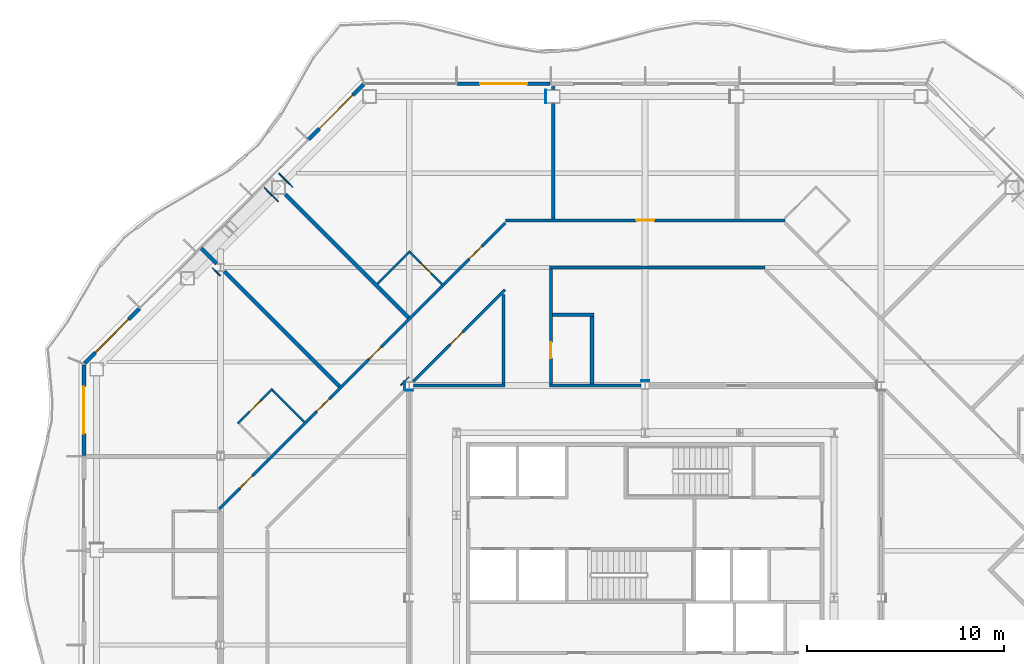
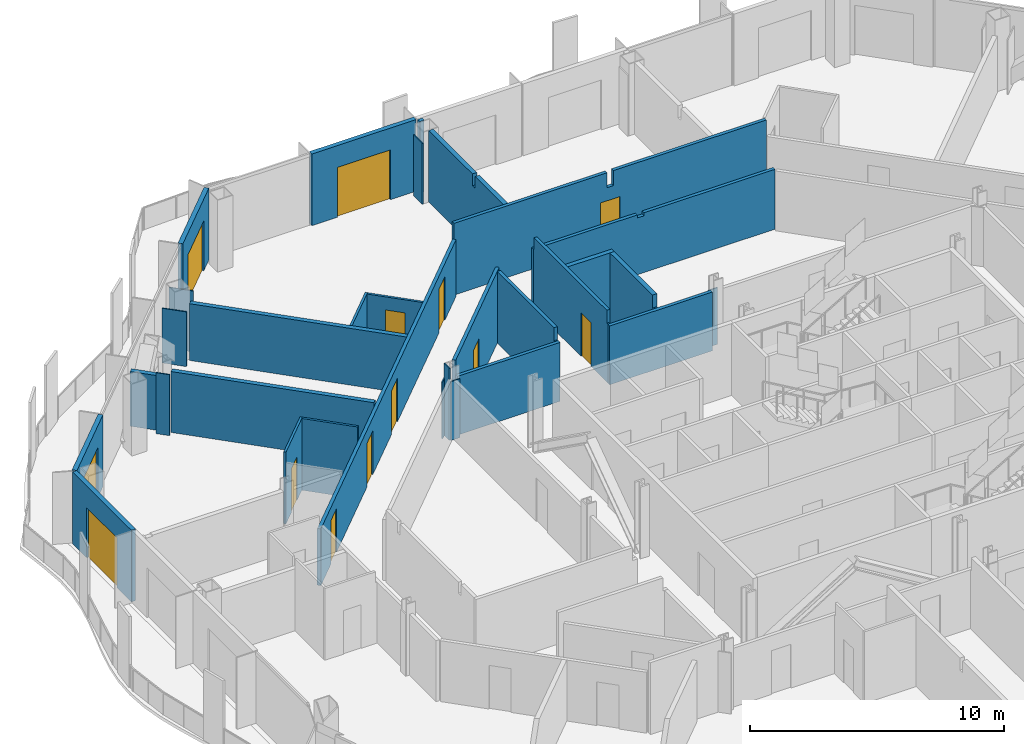
# One storey, part 12 of 21: 31 walls, 13 doors, 13 openings.
"""IFC4 building model written with IfcOpenShell, lengths in metres."""

from ifc_helpers import new_model, si_unit, direction, frame, frame_2d, origin, place, context, subcontext, project, spatial, polyline, rectangle, outline, extrude, material, layer, layer_set, type_object, element, fill, save


model = new_model("IFC4")

# Units and contexts
model_context = context("Model", 3, precision=1e-05, world=origin(), true_north=direction((0.0, 1.0)))
body_context = subcontext(model_context, "Body", "Model", "MODEL_VIEW")
ifc_project = project(units=[si_unit("LENGTHUNIT", "METRE"), si_unit("AREAUNIT", "SQUARE_METRE"), si_unit("VOLUMEUNIT", "CUBIC_METRE"), si_unit("PLANEANGLEUNIT", "RADIAN"), si_unit("MASSUNIT", "GRAM", prefix="KILO")], contexts=[model_context])

# Site, building, storey
site_placement = place(None, origin())
site = spatial("IfcSite", under=ifc_project, at=site_placement, CompositionType="ELEMENT")
building_placement = place(site_placement, origin())
building = spatial("IfcBuilding", under=site, at=building_placement, Name="Cairn Pilgrim Tower", CompositionType="ELEMENT")
storey_placement = place(building_placement, frame((0.0, 0.0, 132.60009765625)))
storey = spatial("IfcBuildingStorey", under=building, at=storey_placement, Name="L32", CompositionType="ELEMENT", Elevation=132.60009765625)

# Wall, opening, door
ifc_material_1 = material(Name="Bronze anodised aluminium insulated sandwich panel with mineral wool fill", Category="aluminium")
ifc_layer_1 = layer(ifc_material_1, 0.199951171875)
ifc_layer_set_1 = layer_set([ifc_layer_1], Name="BRONZE INFILL FRAME WALL 200")
wall_type_1 = type_object("IfcWallType", Name="BRONZE INFILL FRAME WALL 200", PredefinedType="NOTDEFINED", material=ifc_layer_set_1)
wall_1_placement = place(storey_placement, frame((2.3701171875, 28.550048828125, 0.0), z_axis=(0.0, 0.0, 1.0), x_axis=(-1.0, 0.0, 0.0)))
wall_1 = element("IfcWall", 1, at=wall_1_placement, inside=storey, type_object=wall_type_1, Name="Bronze infill frame wall IW-N5", PredefinedType="NOTDEFINED", context=body_context, shape_type="SweptSolid", body=[
    extrude(rectangle(XDim=4.740234375, YDim=0.199951171875, at=frame_2d((2.3701171875, 0.0))), origin(), (0.0, 0.0, 1.0), 3.449951171875),
])
opening_1_placement = place(wall_1_placement, frame((1.169677734375, 0.0, 0.0)))
opening_1 = element("IfcOpeningElement", 2, at=opening_1_placement, cuts=wall_1, Name="Opening 3210B", PredefinedType="OPENING", context=body_context, shape_type="SweptSolid", body=[
    extrude(rectangle(XDim=2.39990234375, YDim=2.39990234375, at=frame_2d((1.199951171875, 1.199951171875))), frame((0.0, 0.10986328125, 0.0), z_axis=(0.0, -1.0, 0.0), x_axis=(1.0, 0.0, 0.0)), (0.0, 0.0, 1.0), 0.219970703125),
])
ifc_material_2 = material(Name="Bronze anodised aluminium frame with tinted low-E glass", Category="aluminium")
door_type_1 = type_object("IfcDoorType", Name="BALCONY SLIDING DOOR 2400x2400", OperationType="DOUBLE_DOOR_SLIDING", PredefinedType="DOOR", material=ifc_material_2)
door_1_placement = place(opening_1_placement, origin())
door_1 = element("IfcDoor", 3, at=door_1_placement, inside=storey, type_object=door_type_1, Name="Balcony sliding door 3210B", OperationType="SINGLE_SWING_LEFT", OverallHeight=2.39990234375, OverallWidth=2.39990234375, PredefinedType="DOOR", context=body_context, shape_type="SweptSolid", body=[
    extrude(rectangle(XDim=2.39990234375, YDim=2.39990234375, at=frame_2d((1.199951171875, 1.199951171875))), frame((0.0, 0.02490234375, 0.0), z_axis=(0.0, -1.0, 0.0), x_axis=(1.0, 0.0, 0.0)), (0.0, 0.0, 1.0), 0.050048828125),
])
fill(opening_1, door_1)

wall_2_placement = place(storey_placement, frame((-7.124755859375, 28.521728515625, 0.0), z_axis=(0.0, 0.0, 1.0), x_axis=(-0.707106781187, -0.707106781187, 0.0)))
wall_2 = element("IfcWall", 4, at=wall_2_placement, inside=storey, type_object=wall_type_1, Name="Bronze infill frame wall IW-NW1", PredefinedType="NOTDEFINED", context=body_context, shape_type="SweptSolid", body=[
    extrude(rectangle(XDim=3.961669921875, YDim=0.199951171875, at=frame_2d((1.98095703125, 0.0))), origin(), (0.0, 0.0, 1.0), 3.449951171875),
])
opening_2_placement = place(wall_2_placement, frame((0.775390625, 0.0, 0.0)))
opening_2 = element("IfcOpeningElement", 5, at=opening_2_placement, cuts=wall_2, Name="Opening 3210B2", PredefinedType="OPENING", context=body_context, shape_type="SweptSolid", body=[
    extrude(rectangle(XDim=2.39990234375, YDim=2.39990234375, at=frame_2d((1.199951171875, 1.199951171875))), frame((0.0, 0.10986328125, 0.0), z_axis=(0.0, -1.0, 0.0), x_axis=(1.0, 0.0, 0.0)), (0.0, 0.0, 1.0), 0.219970703125),
])
door_2_placement = place(opening_2_placement, origin())
door_2 = element("IfcDoor", 6, at=door_2_placement, inside=storey, type_object=door_type_1, Name="Balcony sliding door 3210B2", OperationType="SINGLE_SWING_LEFT", OverallHeight=2.39990234375, OverallWidth=2.39990234375, PredefinedType="DOOR", context=body_context, shape_type="SweptSolid", body=[
    extrude(rectangle(XDim=2.39990234375, YDim=2.39990234375, at=frame_2d((1.199951171875, 1.199951171875))), frame((0.0, 0.02490234375, 0.0), z_axis=(0.0, -1.0, 0.0), x_axis=(1.0, 0.0, 0.0)), (0.0, 0.0, 1.0), 0.050048828125),
])
fill(opening_2, door_2)

wall_3_placement = place(storey_placement, frame((-18.5205078125, 17.1259765625, 0.0), z_axis=(0.0, 0.0, 1.0), x_axis=(-0.707106781187, -0.707106781187, 0.0)))
wall_3 = element("IfcWall", 7, at=wall_3_placement, inside=storey, type_object=wall_type_1, Name="Bronze infill frame wall IW-NW5", PredefinedType="NOTDEFINED", context=body_context, shape_type="SweptSolid", body=[
    extrude(rectangle(XDim=3.961669921875, YDim=0.199951171875, at=frame_2d((1.98095703125, 0.0))), origin(), (0.0, 0.0, 1.0), 3.449951171875),
])
opening_3_placement = place(wall_3_placement, frame((0.785888671875, 0.0, 0.0)))
opening_3 = element("IfcOpeningElement", 8, at=opening_3_placement, cuts=wall_3, Name="Opening 3212B2", PredefinedType="OPENING", context=body_context, shape_type="SweptSolid", body=[
    extrude(rectangle(XDim=2.39990234375, YDim=2.39990234375, at=frame_2d((1.199951171875, 1.199951171875))), frame((0.0, 0.10986328125, 0.0), z_axis=(0.0, -1.0, 0.0), x_axis=(1.0, 0.0, 0.0)), (0.0, 0.0, 1.0), 0.219970703125),
])
door_3_placement = place(opening_3_placement, origin())
door_3 = element("IfcDoor", 9, at=door_3_placement, inside=storey, type_object=door_type_1, Name="Balcony sliding door 3212B2", OperationType="SINGLE_SWING_LEFT", OverallHeight=2.39990234375, OverallWidth=2.39990234375, PredefinedType="DOOR", context=body_context, shape_type="SweptSolid", body=[
    extrude(rectangle(XDim=2.39990234375, YDim=2.39990234375, at=frame_2d((1.199951171875, 1.199951171875))), frame((0.0, 0.02490234375, 0.0), z_axis=(0.0, -1.0, 0.0), x_axis=(1.0, 0.0, 0.0)), (0.0, 0.0, 1.0), 0.050048828125),
])
fill(opening_3, door_3)

wall_4_placement = place(storey_placement, frame((-21.35009765625, 14.25634765625, 0.0), z_axis=(0.0, 0.0, 1.0), x_axis=(0.0, -1.0, 0.0)))
wall_4 = element("IfcWall", 10, at=wall_4_placement, inside=storey, type_object=wall_type_1, Name="Bronze infill frame wall IW-W1", PredefinedType="NOTDEFINED", context=body_context, shape_type="SweptSolid", body=[
    extrude(rectangle(XDim=4.62646484375, YDim=0.199951171875, at=frame_2d((2.313232421875, 0.0))), origin(), (0.0, 0.0, 1.0), 3.449951171875),
])
opening_4_placement = place(wall_4_placement, frame((1.1083984375, 0.0, 0.0)))
opening_4 = element("IfcOpeningElement", 11, at=opening_4_placement, cuts=wall_4, Name="Opening 3212B", PredefinedType="OPENING", context=body_context, shape_type="SweptSolid", body=[
    extrude(rectangle(XDim=2.39990234375, YDim=2.39990234375, at=frame_2d((1.199951171875, 1.199951171875))), frame((0.0, 0.10986328125, 0.0), z_axis=(0.0, -1.0, 0.0), x_axis=(1.0, 0.0, 0.0)), (0.0, 0.0, 1.0), 0.219970703125),
])
door_4_placement = place(opening_4_placement, origin())
door_4 = element("IfcDoor", 12, at=door_4_placement, inside=storey, type_object=door_type_1, Name="Balcony sliding door 3212B", OperationType="SINGLE_SWING_LEFT", OverallHeight=2.39990234375, OverallWidth=2.39990234375, PredefinedType="DOOR", context=body_context, shape_type="SweptSolid", body=[
    extrude(rectangle(XDim=2.39990234375, YDim=2.39990234375, at=frame_2d((1.199951171875, 1.199951171875))), frame((0.0, 0.02490234375, 0.0), z_axis=(0.0, -1.0, 0.0), x_axis=(1.0, 0.0, 0.0)), (0.0, 0.0, 1.0), 0.050048828125),
])
fill(opening_4, door_4)

ifc_material_3 = material(Name="Gypsum partition")
ifc_layer_2 = layer(ifc_material_3, 0.10009765625)
ifc_layer_set_2 = layer_set([ifc_layer_2], Name="PARTITION 100 DRYWALL")
wall_type_2 = type_object("IfcWallType", Name="PARTITION 100 DRYWALL", PredefinedType="PARTITIONING", material=ifc_layer_set_2)
wall_5_placement = place(storey_placement, frame((-13.5263671875, 11.26171875, 0.0), z_axis=(0.0, 0.0, 1.0), x_axis=(0.707106781187, 0.707106781187, 0.0)))
wall_5 = element("IfcWall", 13, at=wall_5_placement, inside=storey, type_object=wall_type_2, Name="PARTITION W069", PredefinedType="PARTITIONING", context=body_context, shape_type="SweptSolid", body=[
    extrude(rectangle(XDim=2.499755859375, YDim=0.10009765625, at=frame_2d((1.25, 0.0))), origin(), (0.0, 0.0, 1.0), 3.449951171875),
])
opening_5_placement = place(wall_5_placement, frame((0.849853515625, 0.0, 0.0)))
opening_5 = element("IfcOpeningElement", 14, at=opening_5_placement, cuts=wall_5, Name="Opening 3212A", PredefinedType="OPENING", context=body_context, shape_type="SweptSolid", body=[
    extrude(rectangle(XDim=0.800048828125, YDim=2.10009765625, at=frame_2d((0.39990234375, 1.050048828125))), frame((0.0, 0.06005859375, 0.0), z_axis=(0.0, -1.0, 0.0), x_axis=(1.0, 0.0, 0.0)), (0.0, 0.0, 1.0), 0.1201171875),
])
ifc_material_4 = material(Name="Timber door leaf", Category="wood")
door_type_2 = type_object("IfcDoorType", Name="WC DOOR 800x2100", OperationType="NOTDEFINED", PredefinedType="DOOR", material=ifc_material_4)
door_5_placement = place(opening_5_placement, origin())
door_5 = element("IfcDoor", 15, at=door_5_placement, inside=storey, type_object=door_type_2, Name="DOOR 3212A", OperationType="SINGLE_SWING_RIGHT", OverallHeight=2.10009765625, OverallWidth=0.800048828125, PredefinedType="DOOR", context=body_context, shape_type="SweptSolid", body=[
    extrude(rectangle(XDim=0.800048828125, YDim=2.10009765625, at=frame_2d((0.39990234375, 1.050048828125))), frame((0.0, 0.02490234375, 0.0), z_axis=(0.0, -1.0, 0.0), x_axis=(1.0, 0.0, 0.0)), (0.0, 0.0, 1.0), 0.050048828125),
])
fill(opening_5, door_5)

# Walls
wall_6_placement = place(storey_placement, frame((-10.14990234375, 11.35009765625, 0.0), z_axis=(0.0, 0.0, 1.0), x_axis=(-0.707160441348, 0.707053116953, 0.0)))
element("IfcWall", 16, at=wall_6_placement, inside=storey, type_object=wall_type_2, Name="PARTITION W070", PredefinedType="PARTITIONING", context=body_context, shape_type="SweptSolid", body=[
    extrude(rectangle(XDim=2.27490234375, YDim=0.10009765625, at=frame_2d((1.137451171875, 0.0))), origin(), (0.0, 0.0, 1.0), 3.449951171875),
])
wall_7_placement = place(storey_placement, frame((-6.411376953125, 18.376708984375, 0.0), z_axis=(0.0, 0.0, 1.0), x_axis=(0.707106781187, 0.707106781187, 0.0)))
element("IfcWall", 17, at=wall_7_placement, inside=storey, type_object=wall_type_2, Name="PARTITION W085", PredefinedType="PARTITIONING", context=body_context, shape_type="SweptSolid", body=[
    extrude(rectangle(XDim=2.349853515625, YDim=0.10009765625, at=frame_2d((1.1748046875, 0.0))), origin(), (0.0, 0.0, 1.0), 2.72998046875),
])

# Wall, opening, door
wall_8_placement = place(storey_placement, frame((-3.14111328125, 18.35888671875, 0.0), z_axis=(0.0, 0.0, 1.0), x_axis=(-0.707053116953, 0.707160441348, 0.0)))
wall_8 = element("IfcWall", 18, at=wall_8_placement, inside=storey, type_object=wall_type_2, Name="PARTITION W086", PredefinedType="PARTITIONING", context=body_context, shape_type="SweptSolid", body=[
    extrude(rectangle(XDim=2.27490234375, YDim=0.10009765625, at=frame_2d((1.137451171875, 0.0))), origin(), (0.0, 0.0, 1.0), 2.72998046875),
])
opening_6_placement = place(wall_8_placement, frame((0.72509765625, 0.0, 0.0)))
opening_6 = element("IfcOpeningElement", 19, at=opening_6_placement, cuts=wall_8, Name="Opening 3210A", PredefinedType="OPENING", context=body_context, shape_type="SweptSolid", body=[
    extrude(rectangle(XDim=0.800048828125, YDim=2.10009765625, at=frame_2d((0.39990234375, 1.050048828125))), frame((0.0, 0.06005859375, 0.0), z_axis=(0.0, -1.0, 0.0), x_axis=(1.0, 0.0, 0.0)), (0.0, 0.0, 1.0), 0.1201171875),
])
door_6_placement = place(opening_6_placement, frame((0.800048828125, 0.0, 0.0), z_axis=(0.0, 0.0, 1.0), x_axis=(-1.0, 0.0, 0.0)))
door_6 = element("IfcDoor", 20, at=door_6_placement, inside=storey, type_object=door_type_2, Name="DOOR 3210A", OperationType="SINGLE_SWING_RIGHT", OverallHeight=2.10009765625, OverallWidth=0.800048828125, PredefinedType="DOOR", context=body_context, shape_type="SweptSolid", body=[
    extrude(rectangle(XDim=0.800048828125, YDim=2.10009765625, at=frame_2d((0.39990234375, 1.050048828125))), frame((0.0, 0.02490234375, 0.0), z_axis=(0.0, -1.0, 0.0), x_axis=(1.0, 0.0, 0.0)), (0.0, 0.0, 1.0), 0.050048828125),
])
fill(opening_6, door_6)

# Wall, openings, doors
ifc_layer_3 = layer(ifc_material_3, 0.14990234375)
ifc_layer_set_3 = layer_set([ifc_layer_3], Name="PARTITION 150 DRYWALL EI 60")
wall_type_3 = type_object("IfcWallType", Name="PARTITION 150 DRYWALL EI 60", PredefinedType="PARTITIONING", material=ifc_layer_set_3)
wall_9_placement = place(storey_placement, frame((-14.47509765625, 6.9189453125, 0.0), z_axis=(0.0, 0.0, 1.0), x_axis=(0.707106781187, 0.707106781187, 0.0)))
wall_9 = element("IfcWall", 21, at=wall_9_placement, inside=storey, type_object=wall_type_3, Name="PARTITION W061", PredefinedType="PARTITIONING", context=body_context, shape_type="SweptSolid", body=[
    extrude(rectangle(XDim=20.5810546875, YDim=0.14990234375, at=frame_2d((10.29052734375, 0.0))), origin(), (0.0, 0.0, 1.0), 2.72998046875),
])
opening_7_placement = place(wall_9_placement, frame((17.982666015625, 0.0, 0.0)))
opening_7 = element("IfcOpeningElement", 22, at=opening_7_placement, cuts=wall_9, Name="Opening 3210", PredefinedType="OPENING", context=body_context, shape_type="SweptSolid", body=[
    extrude(rectangle(XDim=0.89990234375, YDim=2.10009765625, at=frame_2d((0.449951171875, 1.050048828125))), frame((0.0, 0.0849609375, 0.0), z_axis=(0.0, -1.0, 0.0), x_axis=(1.0, 0.0, 0.0)), (0.0, 0.0, 1.0), 0.169921875),
])
opening_8_placement = place(wall_9_placement, frame((10.77001953125, 0.0, 0.0)))
opening_8 = element("IfcOpeningElement", 23, at=opening_8_placement, cuts=wall_9, Name="Opening 3211", PredefinedType="OPENING", context=body_context, shape_type="SweptSolid", body=[
    extrude(rectangle(XDim=0.89990234375, YDim=2.10009765625, at=frame_2d((0.449951171875, 1.050048828125))), frame((0.0, 0.0849609375, 0.0), z_axis=(0.0, -1.0, 0.0), x_axis=(1.0, 0.0, 0.0)), (0.0, 0.0, 1.0), 0.169921875),
])
opening_9_placement = place(wall_9_placement, frame((7.014404296875, 0.0, 0.0)))
opening_9 = element("IfcOpeningElement", 24, at=opening_9_placement, cuts=wall_9, Name="Opening 3212", PredefinedType="OPENING", context=body_context, shape_type="SweptSolid", body=[
    extrude(rectangle(XDim=0.89990234375, YDim=2.10009765625, at=frame_2d((0.449951171875, 1.050048828125))), frame((0.0, 0.0849609375, 0.0), z_axis=(0.0, -1.0, 0.0), x_axis=(1.0, 0.0, 0.0)), (0.0, 0.0, 1.0), 0.169921875),
])
opening_10_placement = place(wall_9_placement, frame((1.4990234375, 0.0, 0.0)))
opening_10 = element("IfcOpeningElement", 25, at=opening_10_placement, cuts=wall_9, Name="Opening 3213", PredefinedType="OPENING", context=body_context, shape_type="SweptSolid", body=[
    extrude(rectangle(XDim=0.89990234375, YDim=2.10009765625, at=frame_2d((0.449951171875, 1.050048828125))), frame((0.0, 0.0849609375, 0.0), z_axis=(0.0, -1.0, 0.0), x_axis=(1.0, 0.0, 0.0)), (0.0, 0.0, 1.0), 0.169921875),
])
door_type_3 = type_object("IfcDoorType", Name="ROOM DOOR 900x2100 FD30S", OperationType="NOTDEFINED", PredefinedType="DOOR", material=ifc_material_4)
door_7_placement = place(opening_7_placement, origin())
door_7 = element("IfcDoor", 26, at=door_7_placement, inside=storey, type_object=door_type_3, Name="DOOR 3210", OperationType="SINGLE_SWING_RIGHT", OverallHeight=2.10009765625, OverallWidth=0.89990234375, PredefinedType="DOOR", context=body_context, shape_type="SweptSolid", body=[
    extrude(rectangle(XDim=0.89990234375, YDim=2.10009765625, at=frame_2d((0.449951171875, 1.050048828125))), frame((0.0, 0.02490234375, 0.0), z_axis=(0.0, -1.0, 0.0), x_axis=(1.0, 0.0, 0.0)), (0.0, 0.0, 1.0), 0.050048828125),
])
fill(opening_7, door_7)
door_8_placement = place(opening_9_placement, origin())
door_8 = element("IfcDoor", 27, at=door_8_placement, inside=storey, type_object=door_type_3, Name="DOOR 3212", OperationType="SINGLE_SWING_RIGHT", OverallHeight=2.10009765625, OverallWidth=0.89990234375, PredefinedType="DOOR", context=body_context, shape_type="SweptSolid", body=[
    extrude(rectangle(XDim=0.89990234375, YDim=2.10009765625, at=frame_2d((0.449951171875, 1.050048828125))), frame((0.0, 0.02490234375, 0.0), z_axis=(0.0, -1.0, 0.0), x_axis=(1.0, 0.0, 0.0)), (0.0, 0.0, 1.0), 0.050048828125),
])
fill(opening_9, door_8)
door_9_placement = place(opening_10_placement, origin())
door_9 = element("IfcDoor", 28, at=door_9_placement, inside=storey, type_object=door_type_3, Name="DOOR 3213", OperationType="SINGLE_SWING_RIGHT", OverallHeight=2.10009765625, OverallWidth=0.89990234375, PredefinedType="DOOR", context=body_context, shape_type="SweptSolid", body=[
    extrude(rectangle(XDim=0.89990234375, YDim=2.10009765625, at=frame_2d((0.449951171875, 1.050048828125))), frame((0.0, 0.02490234375, 0.0), z_axis=(0.0, -1.0, 0.0), x_axis=(1.0, 0.0, 0.0)), (0.0, 0.0, 1.0), 0.050048828125),
])
fill(opening_10, door_9)
door_type_4 = type_object("IfcDoorType", Name="SERVICE DOOR 900x2100 FD30S", OperationType="NOTDEFINED", PredefinedType="DOOR", material=ifc_material_4)
door_10_placement = place(opening_8_placement, origin())
door_10 = element("IfcDoor", 29, at=door_10_placement, inside=storey, type_object=door_type_4, Name="DOOR 3211", OperationType="SINGLE_SWING_RIGHT", OverallHeight=2.10009765625, OverallWidth=0.89990234375, PredefinedType="DOOR", context=body_context, shape_type="SweptSolid", body=[
    extrude(rectangle(XDim=0.89990234375, YDim=2.10009765625, at=frame_2d((0.449951171875, 1.050048828125))), frame((0.0, 0.02490234375, 0.0), z_axis=(0.0, -1.0, 0.0), x_axis=(1.0, 0.0, 0.0)), (0.0, 0.0, 1.0), 0.050048828125),
])
fill(opening_8, door_10)

# Walls
wall_10_placement = place(storey_placement, frame((-4.595458984375, 13.199951171875, 0.0), z_axis=(0.0, 0.0, 1.0), x_axis=(1.0, 0.0, 0.0)))
element("IfcWall", 30, at=wall_10_placement, inside=storey, type_object=wall_type_3, Name="PARTITION W074", PredefinedType="PARTITIONING", context=body_context, shape_type="SweptSolid", body=[
    extrude(rectangle(XDim=4.67041015625, YDim=0.14990234375, at=frame_2d((2.335205078125, 0.0))), origin(), (0.0, 0.0, 1.0), 2.829833984375),
])
wall_11_placement = place(storey_placement, frame((2.324951171875, 13.199951171875, 0.0), z_axis=(0.0, 0.0, 1.0), x_axis=(1.0, 0.0, 0.0)))
element("IfcWall", 31, at=wall_11_placement, inside=storey, type_object=wall_type_3, Name="PARTITION W075", PredefinedType="PARTITIONING", context=body_context, shape_type="SweptSolid", body=[
    extrude(rectangle(XDim=4.670654296875, YDim=0.14990234375, at=frame_2d((2.33544921875, 0.0))), origin(), (0.0, 0.0, 1.0), 2.829833984375),
])
wall_12_placement = place(storey_placement, frame((0.0, 13.27490234375, 0.0), z_axis=(0.0, 0.0, 1.0), x_axis=(0.0, 1.0, 0.0)))
element("IfcWall", 32, at=wall_12_placement, inside=storey, type_object=wall_type_3, Name="PARTITION W077", PredefinedType="PARTITIONING", context=body_context, shape_type="SweptSolid", body=[
    extrude(outline(polyline([(0.0, 0.0), (4.5439453125, 0.0), (4.5439453125, 3.449951171875), (0.074951171875, 3.449951171875), (0.072998046875, 2.829833984375), (0.0, 2.829833984375), (0.0, 0.0)])), frame((0.0, 0.074951171875, 0.0), z_axis=(0.0, -1.0, 0.0), x_axis=(1.0, 0.0, 0.0)), (0.0, 0.0, 1.0), 0.14990234375),
])

# Wall, opening, door
wall_13_placement = place(storey_placement, frame((2.39990234375, 13.27490234375, 0.0), z_axis=(0.0, 0.0, 1.0), x_axis=(0.0, 1.0, 0.0)))
wall_13 = element("IfcWall", 33, at=wall_13_placement, inside=storey, type_object=wall_type_3, Name="PARTITION W078", PredefinedType="PARTITIONING", context=body_context, shape_type="SweptSolid", body=[
    extrude(outline(polyline([(0.0, 0.0), (5.85009765625, 0.0), (5.85009765625, 2.8798828125), (5.820068359375, 2.8798828125), (5.818115234375, 3.449951171875), (0.074951171875, 3.449951171875), (0.072998046875, 2.829833984375), (0.0, 2.829833984375), (0.0, 0.0)])), frame((0.0, 0.074951171875, 0.0), z_axis=(0.0, -1.0, 0.0), x_axis=(1.0, 0.0, 0.0)), (0.0, 0.0, 1.0), 0.14990234375),
])
opening_11_placement = place(wall_13_placement, frame((1.324951171875, 0.0, 0.0)))
opening_11 = element("IfcOpeningElement", 34, at=opening_11_placement, cuts=wall_13, Name="Opening 3219", PredefinedType="OPENING", context=body_context, shape_type="SweptSolid", body=[
    extrude(rectangle(XDim=0.800048828125, YDim=2.10009765625, at=frame_2d((0.39990234375, 1.050048828125))), frame((0.0, 0.0849609375, 0.0), z_axis=(0.0, -1.0, 0.0), x_axis=(1.0, 0.0, 0.0)), (0.0, 0.0, 1.0), 0.169921875),
])
door_type_5 = type_object("IfcDoorType", Name="WC DOOR 800x2100 FD30S", OperationType="NOTDEFINED", PredefinedType="DOOR", material=ifc_material_4)
door_11_placement = place(opening_11_placement, frame((0.800048828125, 0.0, 0.0), z_axis=(0.0, 0.0, 1.0), x_axis=(-1.0, 0.0, 0.0)))
door_11 = element("IfcDoor", 35, at=door_11_placement, inside=storey, type_object=door_type_5, Name="DOOR 3219", OperationType="SINGLE_SWING_RIGHT", OverallHeight=2.10009765625, OverallWidth=0.800048828125, PredefinedType="DOOR", context=body_context, shape_type="SweptSolid", body=[
    extrude(rectangle(XDim=0.800048828125, YDim=2.10009765625, at=frame_2d((0.39990234375, 1.050048828125))), frame((0.0, 0.02490234375, 0.0), z_axis=(0.0, -1.0, 0.0), x_axis=(1.0, 0.0, 0.0)), (0.0, 0.0, 1.0), 0.050048828125),
])
fill(opening_11, door_11)

wall_14_placement = place(storey_placement, frame((-4.591552734375, 13.408447265625, 0.0), z_axis=(0.0, 0.0, 1.0), x_axis=(0.707106781187, 0.707106781187, 0.0)))
wall_14 = element("IfcWall", 36, at=wall_14_placement, inside=storey, type_object=wall_type_3, Name="PARTITION W080", PredefinedType="PARTITIONING", context=body_context, shape_type="SweptSolid", body=[
    extrude(rectangle(XDim=6.599365234375, YDim=0.14990234375, at=frame_2d((3.2998046875, 0.0))), origin(), (0.0, 0.0, 1.0), 3.449951171875),
])
opening_12_placement = place(wall_14_placement, frame((2.6494140625, 0.0, 0.0)))
opening_12 = element("IfcOpeningElement", 37, at=opening_12_placement, cuts=wall_14, Name="Opening 3223", PredefinedType="OPENING", context=body_context, shape_type="SweptSolid", body=[
    extrude(rectangle(XDim=0.89990234375, YDim=2.10009765625, at=frame_2d((0.449951171875, 1.050048828125))), frame((0.0, 0.0849609375, 0.0), z_axis=(0.0, -1.0, 0.0), x_axis=(1.0, 0.0, 0.0)), (0.0, 0.0, 1.0), 0.169921875),
])
door_12_placement = place(opening_12_placement, frame((0.89990234375, 0.0, 0.0), z_axis=(0.0, 0.0, 1.0), x_axis=(-1.0, 0.0, 0.0)))
door_12 = element("IfcDoor", 38, at=door_12_placement, inside=storey, type_object=door_type_4, Name="DOOR 3223", OperationType="SINGLE_SWING_LEFT", OverallHeight=2.10009765625, OverallWidth=0.89990234375, PredefinedType="DOOR", context=body_context, shape_type="SweptSolid", body=[
    extrude(rectangle(XDim=0.89990234375, YDim=2.10009765625, at=frame_2d((0.449951171875, 1.050048828125))), frame((0.0, 0.02490234375, 0.0), z_axis=(0.0, -1.0, 0.0), x_axis=(1.0, 0.0, 0.0)), (0.0, 0.0, 1.0), 0.050048828125),
])
fill(opening_12, door_12)

# Wall
wall_15_placement = place(storey_placement, frame((2.324951171875, 19.199951171875, 0.0), z_axis=(0.0, 0.0, 1.0), x_axis=(1.0, 0.0, 0.0)))
element("IfcWall", 39, at=wall_15_placement, inside=storey, type_object=wall_type_3, Name="PARTITION W087", PredefinedType="PARTITIONING", context=body_context, shape_type="SweptSolid", body=[
    extrude(outline(polyline([(0.0, 0.0), (10.981201171875, 0.0), (10.981201171875, 2.8798828125), (5.02490234375, 2.8798828125), (5.02294921875, 2.72998046875), (4.72509765625, 2.72998046875), (4.722900390625, 2.8798828125), (0.0, 2.8798828125), (0.0, 0.0)])), frame((0.0, 0.074951171875, 0.0), z_axis=(0.0, -1.0, 0.0), x_axis=(1.0, 0.0, 0.0)), (0.0, 0.0, 1.0), 0.14990234375),
])

# Wall, opening, door
wall_16_placement = place(storey_placement, frame((0.099853515625, 21.60009765625, 0.0), z_axis=(0.0, 0.0, 1.0), x_axis=(1.0, 0.0, 0.0)))
wall_16 = element("IfcWall", 40, at=wall_16_placement, inside=storey, type_object=wall_type_3, Name="PARTITION W090", PredefinedType="PARTITIONING", context=body_context, shape_type="SweptSolid", body=[
    extrude(outline(polyline([(0.0, 0.0), (14.2001953125, 0.0), (14.2001953125, 3.449951171875), (7.25, 3.449951171875), (7.248046875, 2.72998046875), (6.9501953125, 2.72998046875), (6.947998046875, 3.449951171875), (0.0, 3.449951171875), (0.0, 0.0)])), frame((0.0, 0.074951171875, 0.0), z_axis=(0.0, -1.0, 0.0), x_axis=(1.0, 0.0, 0.0)), (0.0, 0.0, 1.0), 0.14990234375),
])
opening_13_placement = place(wall_16_placement, frame((6.650146484375, 0.0, 0.0)))
opening_13 = element("IfcOpeningElement", 41, at=opening_13_placement, cuts=wall_16, Name="Opening 3209", PredefinedType="OPENING", context=body_context, shape_type="SweptSolid", body=[
    extrude(rectangle(XDim=0.89990234375, YDim=2.10009765625, at=frame_2d((0.449951171875, 1.050048828125))), frame((0.0, 0.0849609375, 0.0), z_axis=(0.0, -1.0, 0.0), x_axis=(1.0, 0.0, 0.0)), (0.0, 0.0, 1.0), 0.169921875),
])
door_13_placement = place(opening_13_placement, origin())
door_13 = element("IfcDoor", 42, at=door_13_placement, inside=storey, type_object=door_type_4, Name="DOOR 3209", OperationType="SINGLE_SWING_LEFT", OverallHeight=2.10009765625, OverallWidth=0.89990234375, PredefinedType="DOOR", context=body_context, shape_type="SweptSolid", body=[
    extrude(rectangle(XDim=0.89990234375, YDim=2.10009765625, at=frame_2d((0.449951171875, 1.050048828125))), frame((0.0, 0.02490234375, 0.0), z_axis=(0.0, -1.0, 0.0), x_axis=(1.0, 0.0, 0.0)), (0.0, 0.0, 1.0), 0.050048828125),
])
fill(opening_13, door_13)

# Walls
ifc_layer_4 = layer(ifc_material_3, 0.050048828125)
ifc_layer_set_4 = layer_set([ifc_layer_4], Name="PARTITION 50 DRYWALL EI 60")
wall_type_4 = type_object("IfcWallType", Name="PARTITION 50 DRYWALL EI 60", PredefinedType="PARTITIONING", material=ifc_layer_set_4)
wall_17_placement = place(storey_placement, frame((-5.029541015625, 12.987548828125, 0.0), z_axis=(0.0, 0.0, 1.0), x_axis=(0.0, 1.0, 0.0)))
element("IfcWall", 43, at=wall_17_placement, inside=storey, type_object=wall_type_4, Name="COLUMN CASING WC20", PredefinedType="PARTITIONING", context=body_context, shape_type="SweptSolid", body=[
    extrude(rectangle(XDim=0.425048828125, YDim=0.050048828125, at=frame_2d((0.21240234375, 0.0))), origin(), (0.0, 0.0, 1.0), 3.449951171875),
])
wall_18_placement = place(storey_placement, frame((-5.234619140625, 13.2177734375, 0.0), z_axis=(0.0, 0.0, 1.0), x_axis=(0.707106781187, 0.707106781187, 0.0)))
element("IfcWall", 44, at=wall_18_placement, inside=storey, type_object=wall_type_4, Name="COLUMN CASING WC27", PredefinedType="PARTITIONING", context=body_context, shape_type="SweptSolid", body=[
    extrude(rectangle(XDim=0.589599609375, YDim=0.050048828125, at=frame_2d((0.294921875, 0.0))), origin(), (0.0, 0.0, 1.0), 2.72998046875),
])
wall_19_placement = place(storey_placement, frame((-14.417724609375, 18.786376953125, 0.0), z_axis=(0.0, 0.0, 1.0), x_axis=(-0.707106781187, 0.707106781187, 0.0)))
element("IfcWall", 45, at=wall_19_placement, inside=storey, type_object=wall_type_4, Name="COLUMN CASING WC32", PredefinedType="PARTITIONING", context=body_context, shape_type="SweptSolid", body=[
    extrude(rectangle(XDim=0.56005859375, YDim=0.050048828125, at=frame_2d((0.280029296875, 0.0))), origin(), (0.0, 0.0, 1.0), 2.929931640625),
])
wall_20_placement = place(storey_placement, frame((-5.00439453125, 12.96240234375, 0.0), z_axis=(0.0, 0.0, 1.0), x_axis=(1.0, 0.0, 0.0)))
element("IfcWall", 46, at=wall_20_placement, inside=storey, type_object=wall_type_4, Name="COLUMN CASING WC33", PredefinedType="PARTITIONING", context=body_context, shape_type="SweptSolid", body=[
    extrude(rectangle(XDim=0.408935546875, YDim=0.050048828125, at=frame_2d((0.20458984375, 0.0))), origin(), (0.0, 0.0, 1.0), 2.829833984375),
])
wall_21_placement = place(storey_placement, frame((6.99560546875, 13.4375, 0.0), z_axis=(0.0, 0.0, 1.0), x_axis=(1.0, 0.0, 0.0)))
element("IfcWall", 47, at=wall_21_placement, inside=storey, type_object=wall_type_4, Name="COLUMN CASING WC34", PredefinedType="PARTITIONING", context=body_context, shape_type="SweptSolid", body=[
    extrude(rectangle(XDim=0.408935546875, YDim=0.050048828125, at=frame_2d((0.20458984375, 0.0))), origin(), (0.0, 0.0, 1.0), 2.72998046875),
])
wall_22_placement = place(storey_placement, frame((-11.46923828125, 22.55810546875, 0.0), z_axis=(0.0, 0.0, 1.0), x_axis=(-0.707106781187, 0.707106781187, 0.0)))
element("IfcWall", 48, at=wall_22_placement, inside=storey, type_object=wall_type_4, Name="COLUMN CASING WC36", PredefinedType="PARTITIONING", context=body_context, shape_type="SweptSolid", body=[
    extrude(rectangle(XDim=0.989990234375, YDim=0.050048828125, at=frame_2d((0.4951171875, 0.0))), origin(), (0.0, 0.0, 1.0), 2.6298828125),
])
wall_23_placement = place(storey_placement, frame((-10.73388671875, 23.29345703125, 0.0), z_axis=(0.0, 0.0, 1.0), x_axis=(-0.707106781187, 0.707106781187, 0.0)))
element("IfcWall", 49, at=wall_23_placement, inside=storey, type_object=wall_type_4, Name="COLUMN CASING WC37", PredefinedType="PARTITIONING", context=body_context, shape_type="SweptSolid", body=[
    extrude(rectangle(XDim=0.989990234375, YDim=0.050048828125, at=frame_2d((0.4951171875, 0.0))), origin(), (0.0, 0.0, 1.0), 2.929931640625),
])
wall_24_placement = place(storey_placement, frame((2.1494140625, 27.550048828125, 0.0), z_axis=(0.0, 0.0, 1.0), x_axis=(0.0, 1.0, 0.0)))
element("IfcWall", 50, at=wall_24_placement, inside=storey, type_object=wall_type_4, Name="COLUMN CASING WC40", PredefinedType="PARTITIONING", context=body_context, shape_type="SweptSolid", body=[
    extrude(rectangle(XDim=0.699951171875, YDim=0.050048828125, at=frame_2d((0.35009765625, 0.0))), origin(), (0.0, 0.0, 1.0), 2.929931640625),
])
ifc_layer_5 = layer(ifc_material_3, 0.199951171875)
ifc_layer_set_5 = layer_set([ifc_layer_5], Name="SHAFT WALL 200 GYPSUM EI 60")
wall_type_5 = type_object("IfcWallType", Name="SHAFT WALL 200 GYPSUM EI 60", PredefinedType="PARTITIONING", material=ifc_layer_set_5)
wall_25_placement = place(storey_placement, frame((-8.35009765625, 13.14990234375, 0.0), z_axis=(0.0, 0.0, 1.0), x_axis=(-0.707092030896, 0.707121531169, 0.0)))
element("IfcWall", 51, at=wall_25_placement, inside=storey, type_object=wall_type_5, Name="PARTITION W073", PredefinedType="PARTITIONING", context=body_context, shape_type="SweptSolid", body=[
    extrude(rectangle(XDim=8.27587890625, YDim=0.199951171875, at=frame_2d((4.137939453125, 0.0))), origin(), (0.0, 0.0, 1.0), 2.929931640625),
])
wall_26_placement = place(storey_placement, frame((4.5, 13.27490234375, 0.0), z_axis=(0.0, 0.0, 1.0), x_axis=(0.0, 1.0, 0.0)))
element("IfcWall", 52, at=wall_26_placement, inside=storey, type_object=wall_type_5, Name="PARTITION W079", PredefinedType="PARTITIONING", context=body_context, shape_type="SweptSolid", body=[
    extrude(outline(polyline([(0.0, 0.0), (3.425048828125, 0.0), (3.425048828125, 3.449951171875), (0.074951171875, 3.449951171875), (0.072998046875, 2.829833984375), (0.0, 2.829833984375), (0.0, 0.0)])), frame((0.0, 0.10009765625, 0.0), z_axis=(0.0, -1.0, 0.0), x_axis=(1.0, 0.0, 0.0)), (0.0, 0.0, 1.0), 0.199951171875),
])
wall_27_placement = place(storey_placement, frame((-4.837890625, 16.662109375, 0.0), z_axis=(0.0, 0.0, 1.0), x_axis=(-0.707120561855, 0.707093000249, 0.0)))
element("IfcWall", 53, at=wall_27_placement, inside=storey, type_object=wall_type_5, Name="PARTITION W082", PredefinedType="PARTITIONING", context=body_context, shape_type="SweptSolid", body=[
    extrude(rectangle(XDim=8.85791015625, YDim=0.199951171875, at=frame_2d((4.428955078125, 0.0))), origin(), (0.0, 0.0, 1.0), 2.72998046875),
])
wall_28_placement = place(storey_placement, frame((2.47509765625, 16.800048828125, 0.0), z_axis=(0.0, 0.0, 1.0), x_axis=(1.0, 0.0, 0.0)))
element("IfcWall", 54, at=wall_28_placement, inside=storey, type_object=wall_type_5, Name="PARTITION W084", PredefinedType="PARTITIONING", context=body_context, shape_type="SweptSolid", body=[
    extrude(rectangle(XDim=2.125, YDim=0.199951171875, at=frame_2d((1.0625, 0.0))), origin(), (0.0, 0.0, 1.0), 3.449951171875),
])
wall_29_placement = place(storey_placement, frame((-14.597900390625, 19.39794921875, 0.0), z_axis=(0.0, 0.0, 1.0), x_axis=(-0.707106781187, 0.707106781187, 0.0)))
element("IfcWall", 55, at=wall_29_placement, inside=storey, type_object=wall_type_5, Name="PARTITION W088", PredefinedType="PARTITIONING", context=body_context, shape_type="SweptSolid", body=[
    extrude(rectangle(XDim=1.107177734375, YDim=0.199951171875, at=frame_2d((0.5537109375, 0.0))), origin(), (0.0, 0.0, 1.0), 2.6298828125),
])
wall_30_placement = place(storey_placement, frame((2.52392578125, 21.675048828125, 0.0), z_axis=(0.0, 0.0, 1.0), x_axis=(0.0, 1.0, 0.0)))
element("IfcWall", 56, at=wall_30_placement, inside=storey, type_object=wall_type_5, Name="PARTITION W092", PredefinedType="PARTITIONING", context=body_context, shape_type="SweptSolid", body=[
    extrude(outline(polyline([(0.0, 0.0), (5.875, 0.0), (5.875, 3.449951171875), (2.429931640625, 3.449951171875), (2.427978515625, 2.8798828125), (2.219970703125, 2.8798828125), (2.218017578125, 3.449951171875), (0.0, 3.449951171875), (0.0, 0.0)])), frame((0.0, 0.10009765625, 0.0), z_axis=(0.0, -1.0, 0.0), x_axis=(1.0, 0.0, 0.0)), (0.0, 0.0, 1.0), 0.199951171875),
])
wall_31_placement = place(storey_placement, frame((2.52392578125, 28.25, 0.0), z_axis=(0.0, 0.0, 1.0), x_axis=(0.0, 1.0, 0.0)))
element("IfcWall", 57, at=wall_31_placement, inside=storey, type_object=wall_type_5, Name="PARTITION W095", PredefinedType="PARTITIONING", context=body_context, shape_type="SweptSolid", body=[
    extrude(rectangle(XDim=0.169921875, YDim=0.199951171875, at=frame_2d((0.0849609375, 0.0))), origin(), (0.0, 0.0, 1.0), 3.449951171875),
])

save(model, "model.ifc")
